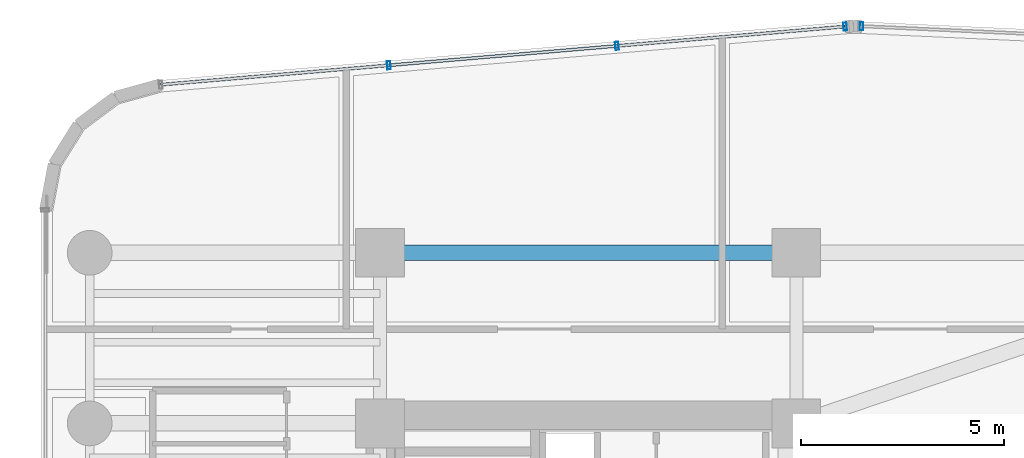
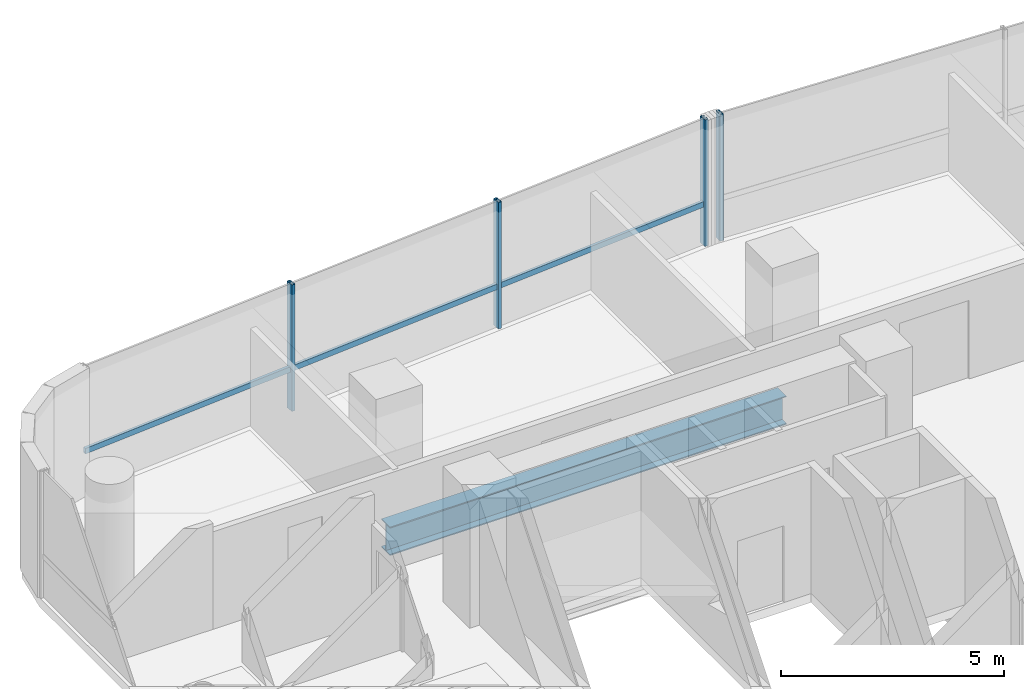
# One storey, part 21 of 37: 5 members, 1 beam, 2 elements without a shape of their own.
"""IFC4 building model written with IfcOpenShell, lengths in metres."""

import ifcopenshell
import ifcopenshell.guid

model = None  # the IFC model being written
_history = None  # IfcOwnerHistory: only IFC2X3 demands one
_inside = {}  # id of a spatial element -> (the spatial element, [elements in it])
_under = {}  # id of a project, library or spatial element -> (it, [spatial elements below it])
_declared = {}  # id of a project -> (the project, [libraries it declares])
_typed = {}  # id of a type object -> (the type object, [elements of that type])
_made_of = {}  # id of a material, layer set ... -> (it, [elements and type objects made of it])


def new_model(schema):
    """Start an empty IFC model of exactly this schema.

    Asked for "IFC4X3", IfcOpenShell would pick the latest addendum, in which some entities
    have other attributes; the version numbers below select the first issue.
    IFC2X3 requires an IfcOwnerHistory on every rooted entity: one is made here for all.
    """
    global model, _history
    if schema == "IFC4X3":
        model = ifcopenshell.file(schema_version=(4, 3, 0, 0))
    else:
        model = ifcopenshell.file(schema=schema)
    _inside.clear()
    _under.clear()
    _declared.clear()
    _typed.clear()
    _made_of.clear()
    _history = None
    if model.schema == "IFC2X3":
        org = make("IfcOrganization", Name="unknown")
        user = make(
            "IfcPersonAndOrganization",
            ThePerson=make("IfcPerson", FamilyName="unknown"),
            TheOrganization=org,
        )
        app = make(
            "IfcApplication",
            ApplicationDeveloper=org,
            Version="unknown",
            ApplicationFullName="unknown",
            ApplicationIdentifier="unknown",
        )
        _history = make(
            "IfcOwnerHistory",
            OwningUser=user,
            OwningApplication=app,
            ChangeAction="ADDED",
            CreationDate=0,
        )
    return model


def make(cls, **values):
    """One entity of the class cls with the attributes given. An attribute that is None is left unset."""
    return model.create_entity(
        cls, **{name: value for name, value in values.items() if value is not None}
    )


def rooted(cls, **values):
    """An entity with a GlobalId (a new one), such as an element, a storey or a relation."""
    return make(cls, GlobalId=ifcopenshell.guid.new(), OwnerHistory=_history, **values)


def si_unit(unit_type, name, prefix=None):
    """IfcSIUnit, for example si_unit("LENGTHUNIT", "METRE", prefix="MILLI")."""
    return make("IfcSIUnit", UnitType=unit_type, Prefix=prefix, Name=name)


def assignment(units):
    """IfcUnitAssignment: the units of a project."""
    return None if units is None else make("IfcUnitAssignment", Units=units)


def point(xyz):
    """IfcCartesianPoint."""
    return None if xyz is None else make("IfcCartesianPoint", Coordinates=xyz)


def direction(xyz):
    """IfcDirection."""
    return None if xyz is None else make("IfcDirection", DirectionRatios=xyz)


def frame(location, z_axis=None, x_axis=None):
    """IfcAxis2Placement3D, a coordinate frame: its origin and axes. An axis left out is left unset."""
    return make(
        "IfcAxis2Placement3D",
        Location=point(location),
        Axis=direction(z_axis),
        RefDirection=direction(x_axis),
    )


def frame_2d(location, x_axis=None):
    """IfcAxis2Placement2D, a coordinate frame in the plane: its origin and x axis."""
    return make(
        "IfcAxis2Placement2D", Location=point(location), RefDirection=direction(x_axis)
    )


def origin():
    """The frame at (0, 0, 0) with its axes left unset."""
    return frame((0.0, 0.0, 0.0))


def origin_2d():
    """The frame at (0, 0) in the plane with its x axis left unset."""
    return frame_2d((0.0, 0.0))


def place(relative_to, where):
    """IfcLocalPlacement: puts the frame where relative to a parent placement (None: the world)."""
    return make(
        "IfcLocalPlacement", PlacementRelTo=relative_to, RelativePlacement=where
    )


def context(
    kind, dimensions, precision=None, world=None, true_north=None, identifier=None
):
    """IfcGeometricRepresentationContext, for example the 3D "Model" context."""
    return make(
        "IfcGeometricRepresentationContext",
        ContextIdentifier=identifier,
        ContextType=kind,
        CoordinateSpaceDimension=dimensions,
        Precision=precision,
        WorldCoordinateSystem=world,
        TrueNorth=true_north,
    )


def subcontext(parent, identifier, kind, view, scale=None):
    """IfcGeometricRepresentationSubContext, for example "Body" below "Model"."""
    return make(
        "IfcGeometricRepresentationSubContext",
        ContextIdentifier=identifier,
        ContextType=kind,
        ParentContext=parent,
        TargetScale=scale,
        TargetView=view,
    )


def project(units=None, contexts=None):
    """IfcProject with its units and contexts."""
    return rooted(
        "IfcProject",
        Name="project",
        RepresentationContexts=contexts,
        UnitsInContext=assignment(units),
    )


def spatial(cls, under=None, at=None, **own):
    """A site, building, storey or space (cls), placed at a placement, below another one or the project."""
    s = rooted(cls, ObjectPlacement=at, **own)
    if under is not None:
        _under.setdefault(under.id(), (under, []))[1].append(s)
    return s


def profile(cls, at=None, kind="AREA", **sizes):
    """A parametric profile (cls). Its sizes go by their IFC names, for example OverallWidth=200.0."""
    return make(cls, ProfileType=kind, Position=at, **sizes)


def hollow_rectangle(**sizes):
    """IfcRectangleHollowProfileDef."""
    return profile("IfcRectangleHollowProfileDef", **sizes)


def i_section(**sizes):
    """IfcIShapeProfileDef."""
    return profile("IfcIShapeProfileDef", **sizes)


def extrude(swept, where, along, depth):
    """IfcExtrudedAreaSolid: the profile swept, set in the frame where, extruded along a direction by depth."""
    return make(
        "IfcExtrudedAreaSolid",
        SweptArea=swept,
        Position=where,
        ExtrudedDirection=direction(along),
        Depth=depth,
    )


def shape(context_of_items, identifier, shape_type, items):
    """IfcShapeRepresentation: the items that make up one representation, for example the "Body"."""
    return make(
        "IfcShapeRepresentation",
        ContextOfItems=context_of_items,
        RepresentationIdentifier=identifier,
        RepresentationType=shape_type,
        Items=items,
    )


def source(mapping_origin, context_of_items, identifier, shape_type, items):
    """IfcRepresentationMap: a shape defined once, which mapped items show again and again."""
    return make(
        "IfcRepresentationMap",
        MappingOrigin=mapping_origin,
        MappedRepresentation=shape(context_of_items, identifier, shape_type, items),
    )


def transform(
    local_origin,
    x_axis=None,
    y_axis=None,
    z_axis=None,
    scale=None,
    scale2=None,
    scale3=None,
    uniform=True,
):
    """IfcCartesianTransformationOperator3D, or its non-uniform kind. x_axis, y_axis, z_axis: its Axis1, 2, 3."""
    if uniform:
        return make(
            "IfcCartesianTransformationOperator3D",
            Axis1=direction(x_axis),
            Axis2=direction(y_axis),
            LocalOrigin=point(local_origin),
            Scale=scale,
            Axis3=direction(z_axis),
        )
    return make(
        "IfcCartesianTransformationOperator3DnonUniform",
        Axis1=direction(x_axis),
        Axis2=direction(y_axis),
        LocalOrigin=point(local_origin),
        Scale=scale,
        Axis3=direction(z_axis),
        Scale2=scale2,
        Scale3=scale3,
    )


def mapped(mapping_source, mapping_target):
    """IfcMappedItem: shows the shape of a source again, moved by a transform."""
    return make(
        "IfcMappedItem", MappingSource=mapping_source, MappingTarget=mapping_target
    )


def material(Name=None, Category=None):
    """IfcMaterial."""
    return make("IfcMaterial", Name=Name, Category=Category)


def material_profile(
    of_material, cross_section, Name=None, Category=None, Priority=None
):
    """IfcMaterialProfile: a cross section and its material."""
    return make(
        "IfcMaterialProfile",
        Name=Name,
        Material=of_material,
        Profile=cross_section,
        Priority=Priority,
        Category=Category,
    )


def profile_set(profiles, Name=None, composite=None):
    """IfcMaterialProfileSet."""
    return make(
        "IfcMaterialProfileSet",
        Name=Name,
        MaterialProfiles=profiles,
        CompositeProfile=composite,
    )


def made_of(thing, what):
    """Note that an element or type object is made of a material, layer set ...; save() writes the relation."""
    if what is not None:
        _made_of.setdefault(what.id(), (what, []))[1].append(thing)
    return thing


def type_object(cls, material=None, **own):
    """A type object (cls), such as IfcWallType, which elements share."""
    return made_of(rooted(cls, **own), material)


def element(
    cls,
    number,
    at=None,
    inside=None,
    cuts=None,
    type_object=None,
    material=None,
    context=None,
    identifier="Body",
    shape_type=None,
    held_by="IfcProductDefinitionShape",
    body=None,
    shapes=None,
    **own,
):
    """One element of the class cls, such as IfcWall. Its Tag is "e" and its number.

    at: its placement. inside: the storey or other place that contains it. cuts: it is an
    opening in that element (IfcRelVoidsElement). A single representation is given by context,
    identifier, shape_type and body (its items); several are given by shapes. held_by: the class
    of the entity that holds the representations. save() writes the other relations.
    """
    e = rooted(cls, Tag="e%d" % number, ObjectPlacement=at, **own)
    if body is not None:
        shapes = [shape(context, identifier, shape_type, body)]
    if shapes is not None:
        e.Representation = make(held_by, Representations=shapes)
    if inside is not None:
        _inside.setdefault(inside.id(), (inside, []))[1].append(e)
    if cuts is not None:
        rooted(
            "IfcRelVoidsElement", RelatingBuildingElement=cuts, RelatedOpeningElement=e
        )
    if type_object is not None:
        _typed.setdefault(type_object.id(), (type_object, []))[1].append(e)
    return made_of(e, material)


def aggregate(whole, parts):
    """IfcRelAggregates: a whole, such as a stair, and the parts it consists of."""
    return rooted("IfcRelAggregates", RelatingObject=whole, RelatedObjects=parts)


def save(model, path):
    """Write the relations noted so far, then the file.

    IfcRelAggregates (storeys below a building ...), IfcRelContainedInSpatialStructure (elements
    in a storey), IfcRelDefinesByType, IfcRelAssociatesMaterial and IfcRelDeclares: one each for
    every whole, place, type object, material and project.
    """
    for whole, parts in _under.values():
        aggregate(whole, parts)
    for where, things in _inside.values():
        rooted(
            "IfcRelContainedInSpatialStructure",
            RelatedElements=things,
            RelatingStructure=where,
        )
    for kind, things in _typed.values():
        rooted("IfcRelDefinesByType", RelatedObjects=things, RelatingType=kind)
    for what, things in _made_of.values():
        rooted("IfcRelAssociatesMaterial", RelatedObjects=things, RelatingMaterial=what)
    for by, libraries in _declared.values():
        rooted("IfcRelDeclares", RelatingContext=by, RelatedDefinitions=libraries)
    model.write(path)


model = new_model("IFC4")

# Units and contexts
model_context = context("Model", 3, precision=1e-05, world=origin(), true_north=direction((0.0, 1.0)))
body_context = subcontext(model_context, "Body", "Model", "MODEL_VIEW")
ifc_project = project(units=[si_unit("LENGTHUNIT", "METRE"), si_unit("AREAUNIT", "SQUARE_METRE"), si_unit("VOLUMEUNIT", "CUBIC_METRE"), si_unit("PLANEANGLEUNIT", "RADIAN"), si_unit("MASSUNIT", "GRAM", prefix="KILO")], contexts=[model_context])

# Site, building, storey
site_placement = place(None, origin())
site = spatial("IfcSite", under=ifc_project, at=site_placement, CompositionType="ELEMENT")
building_placement = place(site_placement, origin())
building = spatial("IfcBuilding", under=site, at=building_placement, Name="Valdorenza Pilgrim Sanctuary Tower", CompositionType="ELEMENT")
storey_placement = place(building_placement, frame((0.0, 0.0, 135.300048828125)))
storey = spatial("IfcBuildingStorey", under=building, at=storey_placement, Name="L34", CompositionType="ELEMENT", Elevation=135.300048828125)

# Beam
ifc_material_1 = material(Name="Steel ASTM A992 Grade 50", Category="steel")
ifc_material_profile_1 = material_profile(ifc_material_1, i_section(OverallWidth=0.382080078125, OverallDepth=0.779052734375, WebThickness=0.01806640625, FlangeThickness=0.030029296875, at=origin_2d()), Name="W30X191")
ifc_profile_set_1 = profile_set([ifc_material_profile_1], Name="Steel ASTM A992 Grade 50")
beam_type = type_object("IfcBeamType", Name="STR-BM-GRD-W30", PredefinedType="BEAM", material=ifc_profile_set_1)
shared_shape_1 = source(origin(), body_context, "Body", "SweptSolid", [
    extrude(i_section(OverallWidth=0.382080078125, OverallDepth=0.779052734375, WebThickness=0.01806640625, FlangeThickness=0.030029296875, at=origin_2d()), origin(), (0.0, 0.0, 1.0), 10.25),
])
beam_placement = place(storey_placement, frame((-22.64990234375, 14.800048828125, -0.629638671875), z_axis=(1.0, 0.0, 0.0), x_axis=(0.0, 1.0, 0.0)))
element("IfcBeam", 1, at=beam_placement, inside=storey, type_object=beam_type, Name="L34 Floor Girder CA-XC-N2", PredefinedType="BEAM", context=body_context, shape_type="MappedRepresentation", body=[
    mapped(shared_shape_1, transform((0.0, 0.0, 0.0), x_axis=(1.0, 0.0, 0.0), y_axis=(0.0, 1.0, 0.0), z_axis=(0.0, 0.0, 1.0), scale=1.0)),
])

# Curtain wall, members
ifc_material_2 = material(Name="Curtain-wall IGU glazing", Category="glass")
curtain_wall_type = type_object("IfcCurtainWallType", Name="CW-SYS-02", PredefinedType="NOTDEFINED", material=ifc_material_2)
curtain_wall_1_placement = place(storey_placement, origin())
curtain_wall_1 = element("IfcCurtainWall", 2, at=curtain_wall_1_placement, inside=storey, type_object=curtain_wall_type, Name="L34 Curtain Wall CW-L34-1-6", PredefinedType="NOTDEFINED")
ifc_material_3 = material(Name="Anodised aluminium AW-6060", Category="aluminium")
ifc_material_profile_2 = material_profile(ifc_material_3, hollow_rectangle(XDim=0.0849609375, YDim=0.199951171875, WallThickness=0.0048828125, at=origin_2d()), Name="ALU-M 200x85x5")
ifc_profile_set_2 = profile_set([ifc_material_profile_2], Name="Anodised aluminium AW-6060")
member_type_1 = type_object("IfcMemberType", Name="CW-MUL-02", PredefinedType="MULLION", material=ifc_profile_set_2)
shared_shape_2 = source(origin(), body_context, "Body", "SweptSolid", [
    extrude(hollow_rectangle(XDim=0.0849609375, YDim=0.199951171875, WallThickness=0.0048828125, at=origin_2d()), origin(), (0.0, 0.0, 1.0), 3.4599609375),
])
member_1_placement = place(storey_placement, frame((-22.43408203125, 19.417724609375, 0.0), z_axis=(0.0, 0.0, 1.0), x_axis=(0.99640764237, 0.084686541006, 0.0)))
member_1 = element("IfcMember", 3, at=member_1_placement, type_object=member_type_1, Name="CW-L34-1-6 Mullion 2", PredefinedType="MULLION", context=body_context, shape_type="MappedRepresentation", body=[
    mapped(shared_shape_2, transform((0.0, 0.0, 0.0), x_axis=(1.0, 0.0, 0.0), y_axis=(0.0, 1.0, 0.0), z_axis=(0.0, 0.0, 1.0), scale=1.0)),
])
member_2_placement = place(storey_placement, frame((-16.81689453125, 19.895263671875, 0.0), z_axis=(0.0, 0.0, 1.0), x_axis=(0.99640764237, 0.084686541006, 0.0)))
member_2 = element("IfcMember", 4, at=member_2_placement, type_object=member_type_1, Name="CW-L34-1-6 Mullion 3", PredefinedType="MULLION", context=body_context, shape_type="MappedRepresentation", body=[
    mapped(shared_shape_2, transform((0.0, 0.0, 0.0), x_axis=(1.0, 0.0, 0.0), y_axis=(0.0, 1.0, 0.0), z_axis=(0.0, 0.0, 1.0), scale=1.0)),
])
member_3_placement = place(storey_placement, frame((-11.199462890625, 20.37255859375, 0.0), z_axis=(0.0, 0.0, 1.0), x_axis=(0.99640764237, 0.084686541006, 0.0)))
member_3 = element("IfcMember", 5, at=member_3_placement, type_object=member_type_1, Name="CW-L34-1-6 Mullion 4", PredefinedType="MULLION", context=body_context, shape_type="MappedRepresentation", body=[
    mapped(shared_shape_2, transform((0.0, 0.0, 0.0), x_axis=(1.0, 0.0, 0.0), y_axis=(0.0, 1.0, 0.0), z_axis=(0.0, 0.0, 1.0), scale=1.0)),
])

# Curtain wall, member
curtain_wall_2_placement = place(storey_placement, origin())
curtain_wall_2 = element("IfcCurtainWall", 6, at=curtain_wall_2_placement, inside=storey, type_object=curtain_wall_type, Name="L34 Curtain Wall CW-L34-1-11", PredefinedType="NOTDEFINED")
member_4_placement = place(storey_placement, frame((-10.795654296875, 20.380615234375, 0.0), z_axis=(0.0, 0.0, 1.0), x_axis=(0.998968193221, -0.045415294044, 0.0)))
member_4 = element("IfcMember", 7, at=member_4_placement, type_object=member_type_1, Name="CW-L34-1-11 Mullion 1", PredefinedType="MULLION", context=body_context, shape_type="MappedRepresentation", body=[
    mapped(shared_shape_2, transform((0.0, 0.0, 0.0), x_axis=(1.0, 0.0, 0.0), y_axis=(0.0, 1.0, 0.0), z_axis=(0.0, 0.0, 1.0), scale=1.0)),
])
aggregate(curtain_wall_2, [member_4])

# Member
ifc_material_profile_3 = material_profile(ifc_material_3, hollow_rectangle(XDim=0.074951171875, YDim=0.14990234375, WallThickness=0.00390625, at=origin_2d()), Name="ALU-T 150x75x4")
ifc_profile_set_3 = profile_set([ifc_material_profile_3], Name="Anodised aluminium AW-6060")
member_type_2 = type_object("IfcMemberType", Name="CW-TRN-02", PredefinedType="USERDEFINED", material=ifc_profile_set_3)
shared_shape_3 = source(origin(), body_context, "Body", "SweptSolid", [
    extrude(hollow_rectangle(XDim=0.074951171875, YDim=0.14990234375, WallThickness=0.00390625, at=origin_2d()), origin(), (0.0, 0.0, 1.0), 16.912841796875),
])
member_5_placement = place(storey_placement, frame((-28.051513671875, 18.940185546875, 1.119873046875), z_axis=(0.996407213932, 0.084691581783, 0.0), x_axis=(-0.084691581783, 0.996407213932, 0.0)))
member_5 = element("IfcMember", 8, at=member_5_placement, type_object=member_type_2, Name="CW-L34-1-6 Transom 1", ObjectType="TRANSOM", PredefinedType="USERDEFINED", context=body_context, shape_type="MappedRepresentation", body=[
    mapped(shared_shape_3, transform((0.0, 0.0, 0.0), x_axis=(1.0, 0.0, 0.0), y_axis=(0.0, 1.0, 0.0), z_axis=(0.0, 0.0, 1.0), scale=1.0)),
])

aggregate(curtain_wall_1, [member_1, member_2, member_3, member_5])

save(model, "model.ifc")
